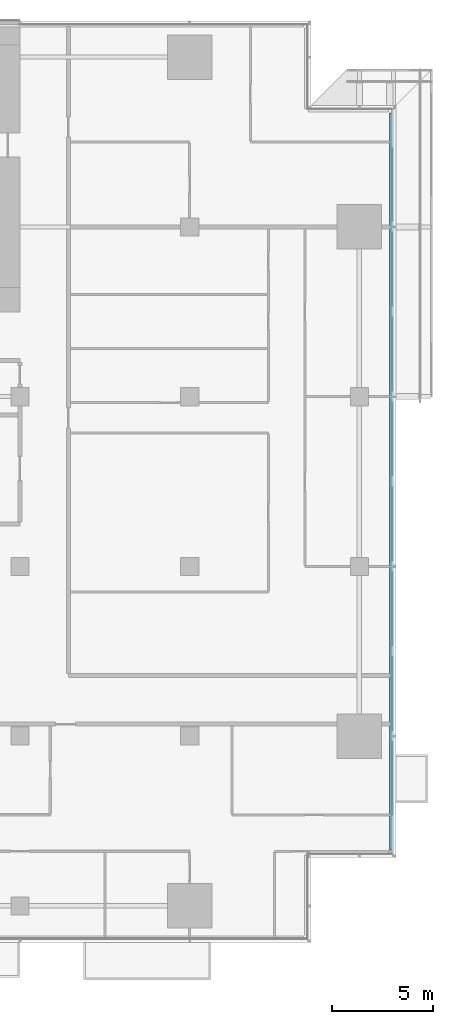
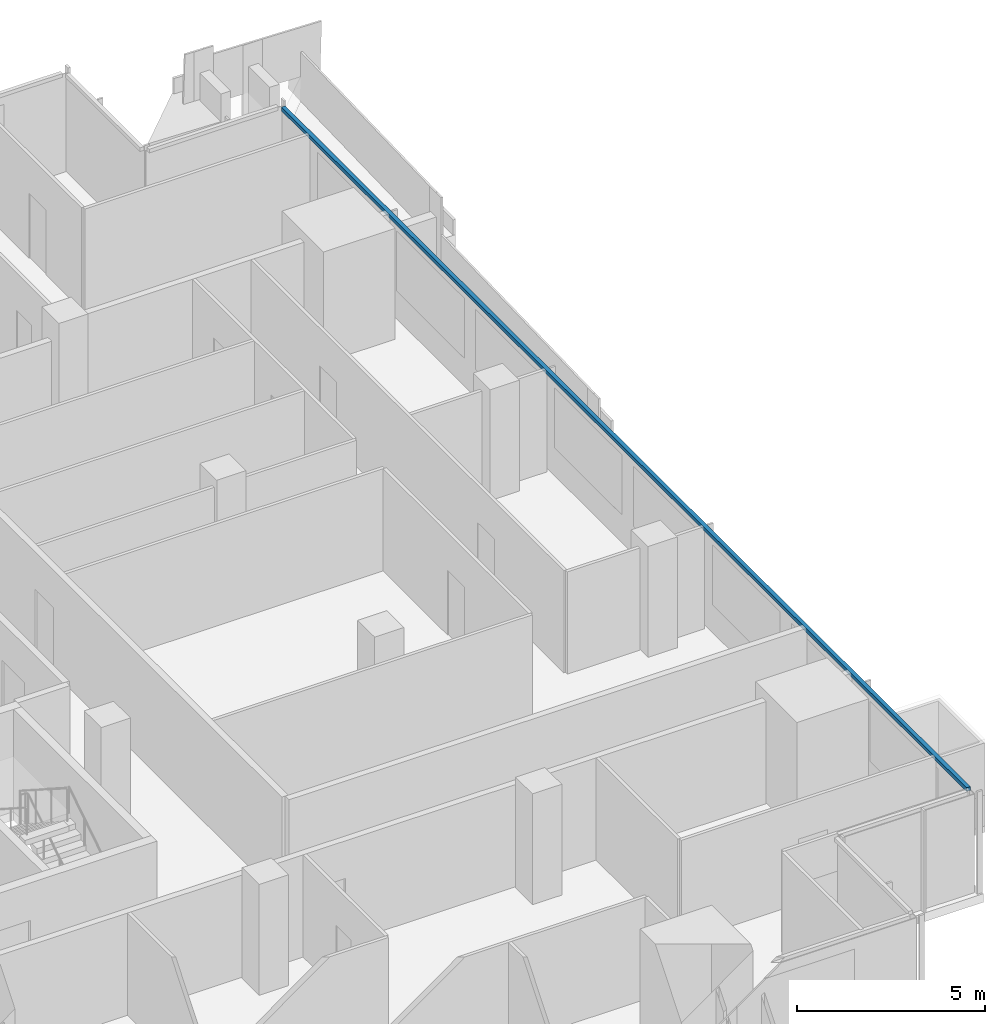
# One storey, part 13 of 29: 1 member, 1 element without a shape of its own.
"""IFC4 building model written with IfcOpenShell, lengths in metres."""

from ifc_helpers import new_model, si_unit, direction, frame, origin, origin_2d, place, context, subcontext, project, spatial, rectangle, extrude, material, material_profile, profile_set, type_object, element, aggregate, save


model = new_model("IFC4")

# Units and contexts
model_context = context("Model", 3, precision=1e-05, world=origin(), true_north=direction((0.0, 1.0)))
body_context = subcontext(model_context, "Body", "Model", "MODEL_VIEW")
ifc_project = project(units=[si_unit("LENGTHUNIT", "METRE"), si_unit("AREAUNIT", "SQUARE_METRE"), si_unit("VOLUMEUNIT", "CUBIC_METRE"), si_unit("PLANEANGLEUNIT", "RADIAN"), si_unit("MASSUNIT", "GRAM", prefix="KILO")], contexts=[model_context])

# Site, building, storey
site_placement = place(None, origin())
site = spatial("IfcSite", under=ifc_project, at=site_placement, CompositionType="ELEMENT")
building_placement = place(site_placement, origin())
building = spatial("IfcBuilding", under=site, at=building_placement, Name="Saffron Gate Tower", CompositionType="ELEMENT")
storey_placement = place(building_placement, frame((0.0, 0.0, 55.199951171875)))
storey = spatial("IfcBuildingStorey", under=building, at=storey_placement, Name="L12", CompositionType="ELEMENT", Elevation=55.199951171875)

# Curtain wall, member
ifc_material = material(Name="Aluminium, bronze anodised", Category="aluminium")
curtain_wall_type = type_object("IfcCurtainWallType", Name="CWS2 curtain wall side facades", PredefinedType="NOTDEFINED", material=ifc_material)
curtain_wall_placement = place(storey_placement, origin())
curtain_wall = element("IfcCurtainWall", 1, at=curtain_wall_placement, inside=storey, type_object=curtain_wall_type, Name="CWS2 run 4", PredefinedType="NOTDEFINED")
ifc_material_profile = material_profile(ifc_material, rectangle(XDim=0.1201171875, YDim=0.1201171875, at=origin_2d()))
ifc_profile_set = profile_set([ifc_material_profile], Name="Aluminium, bronze anodised")
member_type = type_object("IfcMemberType", Name="CWS2 head transom", PredefinedType="USERDEFINED", material=ifc_profile_set)
member_placement = place(storey_placement, frame((126.951904296875, 34.568115234375, 3.260009765625), z_axis=(0.0, 1.0, 0.0), x_axis=(-1.0, 0.0, 0.0)))
member = element("IfcMember", 2, at=member_placement, type_object=member_type, Name="CWS2 head transom", ObjectType="TRANSOM", PredefinedType="USERDEFINED", context=body_context, shape_type="SweptSolid", body=[
    extrude(rectangle(XDim=0.1201171875, YDim=0.1201171875, at=origin_2d()), origin(), (0.0, 0.0, 1.0), 36.4638671875),
])
aggregate(curtain_wall, [member])

save(model, "model.ifc")
